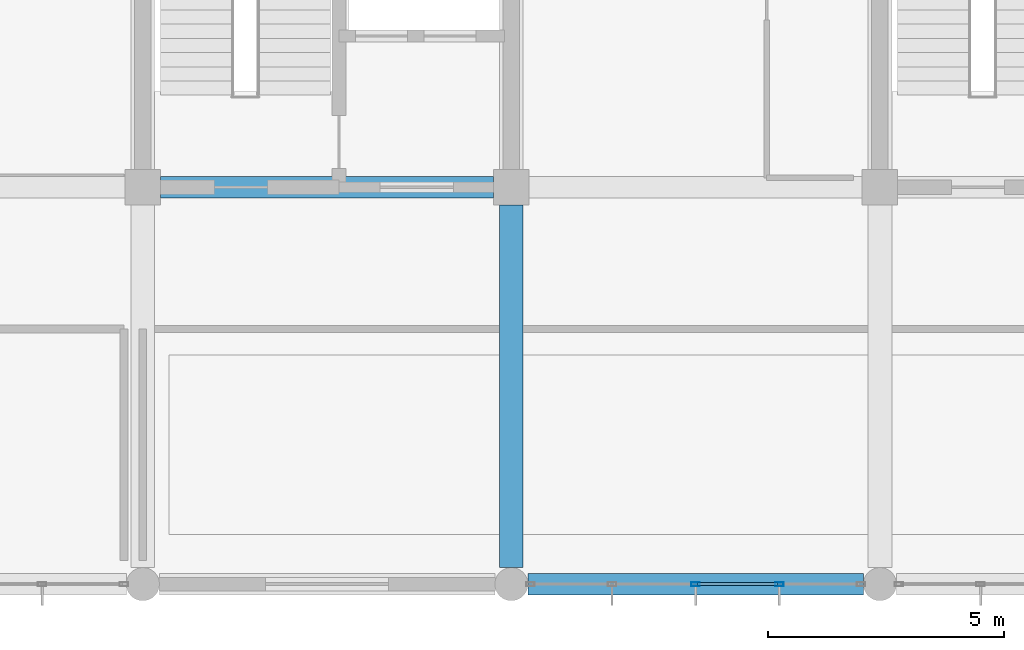
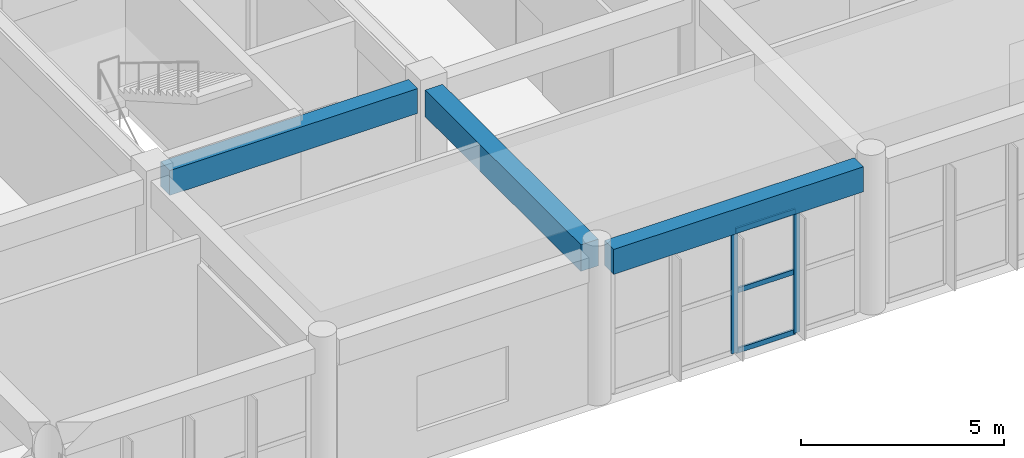
# One storey, part 18 of 175: 5 members, 3 beams, 1 element without a shape of its own.
"""IFC4 building model written with IfcOpenShell, lengths in metres."""

from ifc_helpers import new_model, si_unit, direction, frame, origin, origin_2d, place, context, subcontext, project, spatial, rectangle, hollow_rectangle, extrude, material, layer, layer_set, material_profile, profile_set, type_object, element, aggregate, save


model = new_model("IFC4")

# Units and contexts
model_context = context("Model", 3, precision=1e-05, world=origin(), true_north=direction((0.0, 1.0)))
body_context = subcontext(model_context, "Body", "Model", "MODEL_VIEW")
ifc_project = project(units=[si_unit("LENGTHUNIT", "METRE"), si_unit("AREAUNIT", "SQUARE_METRE"), si_unit("VOLUMEUNIT", "CUBIC_METRE"), si_unit("PLANEANGLEUNIT", "RADIAN"), si_unit("MASSUNIT", "GRAM", prefix="KILO")], contexts=[model_context])

# Site, building, storey
site_placement = place(None, origin())
site = spatial("IfcSite", under=ifc_project, at=site_placement, CompositionType="ELEMENT")
building_placement = place(site_placement, origin())
building = spatial("IfcBuilding", under=site, at=building_placement, Name="Zizhar Promenade General Hospital", CompositionType="ELEMENT")
storey_placement = place(building_placement, frame((0.0, 0.0, 4.800048828125)))
storey = spatial("IfcBuildingStorey", under=building, at=storey_placement, Name="L01", CompositionType="ELEMENT", Elevation=4.800048828125)

# Beams
ifc_material_1 = material(Name="Concrete C35/45", Category="concrete")
ifc_material_profile_1 = material_profile(ifc_material_1, rectangle(XDim=0.449951171875, YDim=0.75, at=origin_2d()))
ifc_profile_set_1 = profile_set([ifc_material_profile_1], Name="Concrete C35/45")
beam_type_1 = type_object("IfcBeamType", Name="BM-RC-450x750", PredefinedType="BEAM", material=ifc_profile_set_1)
beam_1_placement = place(storey_placement, frame((47.175048828125, 8.39990234375, 4.094970703125), z_axis=(1.0, 0.0, 0.0), x_axis=(0.0, 1.0, 0.0)))
element("IfcBeam", 1, at=beam_1_placement, inside=storey, type_object=beam_type_1, Name="Grid Beam X L01 (6-1)", PredefinedType="BEAM", context=body_context, shape_type="SweptSolid", body=[
    extrude(rectangle(XDim=0.449951171875, YDim=0.75, at=origin_2d()), origin(), (0.0, 0.0, 1.0), 7.050048828125),
])
beam_2_placement = place(storey_placement, frame((54.949951171875, 0.0, 4.094970703125), z_axis=(1.0, 0.0, 0.0), x_axis=(0.0, 1.0, 0.0)))
element("IfcBeam", 2, at=beam_2_placement, inside=storey, type_object=beam_type_1, Name="Grid Beam X L01 (7-0)", PredefinedType="BEAM", context=body_context, shape_type="SweptSolid", body=[
    extrude(rectangle(XDim=0.449951171875, YDim=0.75, at=origin_2d()), origin(), (0.0, 0.0, 1.0), 7.10009765625),
])
ifc_material_2 = material(Name="Concrete C35/45", Category="concrete")
ifc_material_profile_2 = material_profile(ifc_material_2, rectangle(XDim=0.5, YDim=0.800048828125, at=origin_2d()))
ifc_profile_set_2 = profile_set([ifc_material_profile_2], Name="Concrete C35/45")
beam_type_2 = type_object("IfcBeamType", Name="BM-RC-500x800", PredefinedType="BEAM", material=ifc_profile_set_2)
beam_3_placement = place(storey_placement, frame((54.60009765625, 0.35009765625, 4.070068359375), z_axis=(0.0, 1.0, 0.0), x_axis=(-1.0, 0.0, 0.0)))
element("IfcBeam", 3, at=beam_3_placement, inside=storey, type_object=beam_type_2, Name="Grid Beam Y L01 (7-0)", PredefinedType="BEAM", context=body_context, shape_type="SweptSolid", body=[
    extrude(rectangle(XDim=0.5, YDim=0.800048828125, at=origin_2d()), origin(), (0.0, 0.0, 1.0), 7.6748046875),
])

# Curtain wall, members
ifc_material_3 = material(Name="Anodised aluminium 6063-T6 and low-E glass", Category="aluminium")
ifc_layer = layer(ifc_material_3, 0.159912109375)
ifc_layer_set = layer_set([ifc_layer], Name="Anodised aluminium 6063-T6 and low-E glass")
curtain_wall_type = type_object("IfcCurtainWallType", Name="CW-DT-MOD1", PredefinedType="NOTDEFINED", material=ifc_layer_set)
curtain_wall_placement = place(storey_placement, origin())
curtain_wall = element("IfcCurtainWall", 4, at=curtain_wall_placement, inside=storey, type_object=curtain_wall_type, Name="Riverfront Clinical Curtain Wall L01-6", PredefinedType="NOTDEFINED")
ifc_material_4 = material(Name="Anodised aluminium 6063-T6", Category="aluminium")
ifc_material_profile_3 = material_profile(ifc_material_4, hollow_rectangle(XDim=0.080078125, YDim=0.179931640625, WallThickness=0.0048828125, at=origin_2d()))
ifc_profile_set_3 = profile_set([ifc_material_profile_3], Name="Anodised aluminium 6063-T6")
member_type_1 = type_object("IfcMemberType", Name="CWM-ALU-180x80", PredefinedType="MULLION", material=ifc_profile_set_3)
member_1_placement = place(storey_placement, frame((60.27001953125, 0.0, 0.0), z_axis=(0.0, 0.0, 1.0), x_axis=(0.0, -1.0, 0.0)))
member_1 = element("IfcMember", 5, at=member_1_placement, type_object=member_type_1, Name="CW-07 mullion 2", PredefinedType="MULLION", context=body_context, shape_type="SweptSolid", body=[
    extrude(hollow_rectangle(XDim=0.080078125, YDim=0.179931640625, WallThickness=0.0048828125, at=origin_2d()), origin(), (0.0, 0.0, 1.0), 3.679931640625),
])
member_2_placement = place(storey_placement, frame((58.5, 0.0, 0.0), z_axis=(0.0, 0.0, 1.0), x_axis=(0.0, -1.0, 0.0)))
member_2 = element("IfcMember", 6, at=member_2_placement, type_object=member_type_1, Name="CW-07 mullion 3", PredefinedType="MULLION", context=body_context, shape_type="SweptSolid", body=[
    extrude(hollow_rectangle(XDim=0.080078125, YDim=0.179931640625, WallThickness=0.0048828125, at=origin_2d()), origin(), (0.0, 0.0, 1.0), 3.679931640625),
])
ifc_material_5 = material(Name="Anodised aluminium 6063-T6", Category="aluminium")
ifc_material_profile_4 = material_profile(ifc_material_5, hollow_rectangle(XDim=0.06005859375, YDim=0.14990234375, WallThickness=0.00390625, at=origin_2d()))
ifc_profile_set_4 = profile_set([ifc_material_profile_4], Name="Anodised aluminium 6063-T6")
member_type_2 = type_object("IfcMemberType", Name="CWT-ALU-150x60", PredefinedType="USERDEFINED", material=ifc_profile_set_4)
member_3_placement = place(storey_placement, frame((60.22998046875, 0.0, 0.030029296875), z_axis=(-1.0, 0.0, 0.0), x_axis=(0.0, -1.0, 0.0)))
member_3 = element("IfcMember", 7, at=member_3_placement, type_object=member_type_2, Name="CW-07 transom 2.1", ObjectType="TRANSOM", PredefinedType="USERDEFINED", context=body_context, shape_type="SweptSolid", body=[
    extrude(hollow_rectangle(XDim=0.06005859375, YDim=0.14990234375, WallThickness=0.00390625, at=origin_2d()), origin(), (0.0, 0.0, 1.0), 1.68994140625),
])
member_4_placement = place(storey_placement, frame((60.22998046875, 0.0, 1.83984375), z_axis=(-1.0, 0.0, 0.0), x_axis=(0.0, -1.0, 0.0)))
member_4 = element("IfcMember", 8, at=member_4_placement, type_object=member_type_2, Name="CW-07 transom 2.2", ObjectType="TRANSOM", PredefinedType="USERDEFINED", context=body_context, shape_type="SweptSolid", body=[
    extrude(hollow_rectangle(XDim=0.06005859375, YDim=0.14990234375, WallThickness=0.00390625, at=origin_2d()), origin(), (0.0, 0.0, 1.0), 1.68994140625),
])
member_5_placement = place(storey_placement, frame((60.22998046875, 0.0, 3.64990234375), z_axis=(-1.0, 0.0, 0.0), x_axis=(0.0, -1.0, 0.0)))
member_5 = element("IfcMember", 9, at=member_5_placement, type_object=member_type_2, Name="CW-07 transom 2.3", ObjectType="TRANSOM", PredefinedType="USERDEFINED", context=body_context, shape_type="SweptSolid", body=[
    extrude(hollow_rectangle(XDim=0.06005859375, YDim=0.14990234375, WallThickness=0.00390625, at=origin_2d()), origin(), (0.0, 0.0, 1.0), 1.68994140625),
])
aggregate(curtain_wall, [member_1, member_2, member_3, member_4, member_5])

save(model, "model.ifc")
